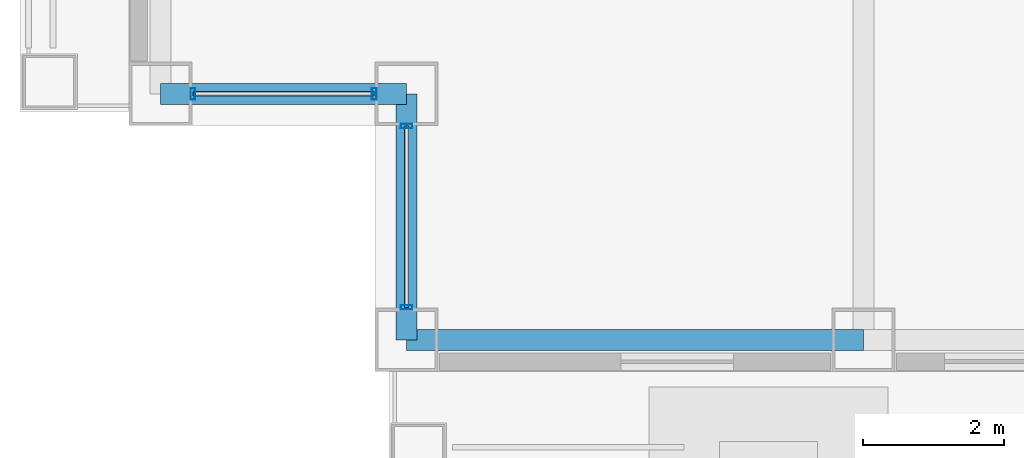
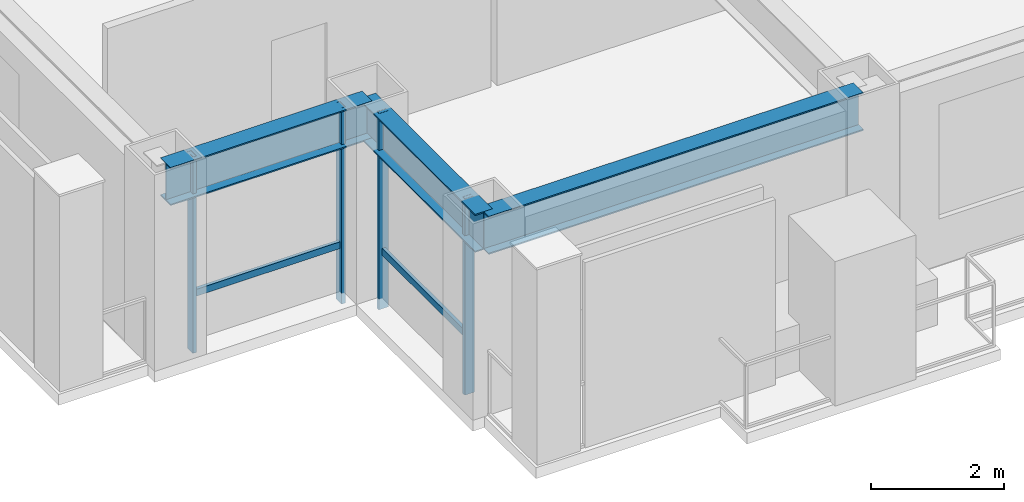
# One storey, part 2 of 29: 6 members, 3 beams, 2 elements without a shape of their own.
"""IFC4 building model written with IfcOpenShell, lengths in metres."""

from ifc_helpers import new_model, si_unit, direction, frame, origin, origin_2d, place, context, subcontext, project, spatial, hollow_rectangle, i_section, extrude, material, layer, layer_set, material_profile, profile_set, type_object, element, aggregate, save


model = new_model("IFC4")

# Units and contexts
model_context = context("Model", 3, precision=1e-05, world=origin(), true_north=direction((0.0, 1.0)))
body_context = subcontext(model_context, "Body", "Model", "MODEL_VIEW")
ifc_project = project(units=[si_unit("LENGTHUNIT", "METRE"), si_unit("AREAUNIT", "SQUARE_METRE"), si_unit("VOLUMEUNIT", "CUBIC_METRE"), si_unit("PLANEANGLEUNIT", "RADIAN"), si_unit("MASSUNIT", "GRAM", prefix="KILO")], contexts=[model_context])

# Site, building, storey
site_placement = place(None, origin())
site = spatial("IfcSite", under=ifc_project, at=site_placement, CompositionType="ELEMENT")
building_placement = place(site_placement, origin())
building = spatial("IfcBuilding", under=site, at=building_placement, Name="Brelmoor Portico Tower", CompositionType="ELEMENT")
storey_placement = place(building_placement, frame((0.0, 0.0, 63.60009765625)))
storey = spatial("IfcBuildingStorey", under=building, at=storey_placement, Name="L16", CompositionType="ELEMENT", Elevation=63.60009765625)

# Beams
ifc_material_1 = material(Name="Steel Q355B", Category="steel")
ifc_material_profile_1 = material_profile(ifc_material_1, i_section(OverallWidth=0.300048828125, OverallDepth=0.699951171875, WebThickness=0.012939453125, FlangeThickness=0.02392578125, at=origin_2d()), Name="HN 700x300x13x24")
ifc_profile_set_1 = profile_set([ifc_material_profile_1], Name="Steel Q355B")
beam_type = type_object("IfcBeamType", Name="BM-SP-700", PredefinedType="SPANDREL", material=ifc_profile_set_1)
beam_placement = place(storey_placement, frame((-21.050048828125, -21.550048828125, 3.0498046875), z_axis=(1.0, 0.0, 0.0), x_axis=(0.0, 1.0, 0.0)))
element("IfcBeam", 1, at=beam_placement, inside=storey, type_object=beam_type, Name="L16 Perimeter Spandrel Beam SP-01", PredefinedType="SPANDREL", context=body_context, shape_type="SweptSolid", body=[
    extrude(i_section(OverallWidth=0.300048828125, OverallDepth=0.699951171875, WebThickness=0.012939453125, FlangeThickness=0.02392578125, at=origin_2d()), origin(), (0.0, 0.0, 1.0), 6.5),
])
for number, where, z_axis, x_axis, name in (
    (2, (-24.550048828125, -18.050048828125, 3.0498046875), (1.0, 0.0, 0.0), (0.0, 1.0, 0.0), "L16 Perimeter Spandrel Beam SP-06"),
    (3, (-21.050048828125, -21.550048828125, 3.0498046875), (0.0, 1.0, 0.0), (-1.0, 0.0, 0.0), "L16 Perimeter Spandrel Beam SP-18"),
):
    element("IfcBeam", number, at=place(storey_placement, frame(where, z_axis=z_axis, x_axis=x_axis)), inside=storey, type_object=beam_type, Name=name, PredefinedType="SPANDREL", context=body_context, shape_type="SweptSolid", body=[
        extrude(i_section(OverallWidth=0.300048828125, OverallDepth=0.699951171875, WebThickness=0.012939453125, FlangeThickness=0.02392578125, at=origin_2d()), origin(), (0.0, 0.0, 1.0), 3.5),
    ])

# Curtain wall, members
ifc_material_2 = material(Name="Anodised Aluminium Alloy 6063-T6", Category="aluminium")
ifc_layer = layer(ifc_material_2, 0.179931640625)
ifc_layer_set = layer_set([ifc_layer], Name="Anodised Aluminium Alloy 6063-T6")
curtain_wall_type = type_object("IfcCurtainWallType", Name="CW-NOTCH-CHAMFER", PredefinedType="NOTDEFINED", material=ifc_layer_set)
curtain_wall_1_placement = place(storey_placement, origin())
curtain_wall_1 = element("IfcCurtainWall", 4, at=curtain_wall_1_placement, inside=storey, type_object=curtain_wall_type, Name="L16 Curtain Wall CWN-L16-SWH", PredefinedType="NOTDEFINED")
ifc_material_profile_2 = material_profile(ifc_material_2, hollow_rectangle(XDim=0.06494140625, YDim=0.1650390625, WallThickness=0.00390625, at=origin_2d()), Name="ALU MULLION 65x165")
ifc_profile_set_2 = profile_set([ifc_material_profile_2], Name="Anodised Aluminium Alloy 6063-T6")
member_type_1 = type_object("IfcMemberType", Name="MB-CW-MULL-165", PredefinedType="MULLION", material=ifc_profile_set_2)
member_1_placement = place(storey_placement, frame((-24.090087890625, -18.050048828125, -0.2001953125), z_axis=(0.0, 0.0, 1.0), x_axis=(1.0, 0.0, 0.0)))
member_1 = element("IfcMember", 5, at=member_1_placement, type_object=member_type_1, Name="CWN-L16-SWH Mullion 00", PredefinedType="MULLION", context=body_context, shape_type="SweptSolid", body=[
    extrude(hollow_rectangle(XDim=0.06494140625, YDim=0.1650390625, WallThickness=0.00390625, at=origin_2d()), origin(), (0.0, 0.0, 1.0), 3.60009765625),
])
member_2_placement = place(storey_placement, frame((-21.510009765625, -18.050048828125, -0.2001953125), z_axis=(0.0, 0.0, 1.0), x_axis=(1.0, 0.0, 0.0)))
member_2 = element("IfcMember", 6, at=member_2_placement, type_object=member_type_1, Name="CWN-L16-SWH Mullion 01", PredefinedType="MULLION", context=body_context, shape_type="SweptSolid", body=[
    extrude(hollow_rectangle(XDim=0.06494140625, YDim=0.1650390625, WallThickness=0.00390625, at=origin_2d()), origin(), (0.0, 0.0, 1.0), 3.60009765625),
])

curtain_wall_2_placement = place(storey_placement, origin())
curtain_wall_2 = element("IfcCurtainWall", 7, at=curtain_wall_2_placement, inside=storey, type_object=curtain_wall_type, Name="L16 Curtain Wall CWN-L16-SWV", PredefinedType="NOTDEFINED")
member_3_placement = place(storey_placement, frame((-21.050048828125, -21.090087890625, -0.2001953125), z_axis=(0.0, 0.0, 1.0), x_axis=(0.0, 1.0, 0.0)))
member_3 = element("IfcMember", 8, at=member_3_placement, type_object=member_type_1, Name="CWN-L16-SWV Mullion 00", PredefinedType="MULLION", context=body_context, shape_type="SweptSolid", body=[
    extrude(hollow_rectangle(XDim=0.06494140625, YDim=0.1650390625, WallThickness=0.00390625, at=origin_2d()), origin(), (0.0, 0.0, 1.0), 3.60009765625),
])
member_4_placement = place(storey_placement, frame((-21.050048828125, -18.510009765625, -0.2001953125), z_axis=(0.0, 0.0, 1.0), x_axis=(0.0, 1.0, 0.0)))
member_4 = element("IfcMember", 9, at=member_4_placement, type_object=member_type_1, Name="CWN-L16-SWV Mullion 01", PredefinedType="MULLION", context=body_context, shape_type="SweptSolid", body=[
    extrude(hollow_rectangle(XDim=0.06494140625, YDim=0.1650390625, WallThickness=0.00390625, at=origin_2d()), origin(), (0.0, 0.0, 1.0), 3.60009765625),
])

# Member
ifc_material_profile_3 = material_profile(ifc_material_2, hollow_rectangle(XDim=0.06005859375, YDim=0.125, WallThickness=0.00341796875, at=origin_2d()), Name="ALU TRANSOM 60x125")
ifc_profile_set_3 = profile_set([ifc_material_profile_3], Name="Anodised Aluminium Alloy 6063-T6")
member_type_2 = type_object("IfcMemberType", Name="MB-CW-TRAN-125", PredefinedType="USERDEFINED", material=ifc_profile_set_3)
member_5_placement = place(storey_placement, frame((-24.090087890625, -18.050048828125, 0.849853515625), z_axis=(1.0, 0.0, 0.0), x_axis=(0.0, 1.0, 0.0)))
member_5 = element("IfcMember", 10, at=member_5_placement, type_object=member_type_2, Name="CWN-L16-SWH Transom 1-00", ObjectType="TRANSOM", PredefinedType="USERDEFINED", context=body_context, shape_type="SweptSolid", body=[
    extrude(hollow_rectangle(XDim=0.06005859375, YDim=0.125, WallThickness=0.00341796875, at=origin_2d()), origin(), (0.0, 0.0, 1.0), 2.580078125),
])

aggregate(curtain_wall_1, [member_1, member_2, member_5])

member_6_placement = place(storey_placement, frame((-21.050048828125, -21.090087890625, 0.849853515625), z_axis=(0.0, 1.0, 0.0), x_axis=(-1.0, 0.0, 0.0)))
member_6 = element("IfcMember", 11, at=member_6_placement, type_object=member_type_2, Name="CWN-L16-SWV Transom 1-00", ObjectType="TRANSOM", PredefinedType="USERDEFINED", context=body_context, shape_type="SweptSolid", body=[
    extrude(hollow_rectangle(XDim=0.06005859375, YDim=0.125, WallThickness=0.00341796875, at=origin_2d()), origin(), (0.0, 0.0, 1.0), 2.580078125),
])

aggregate(curtain_wall_2, [member_3, member_4, member_6])

save(model, "model.ifc")
